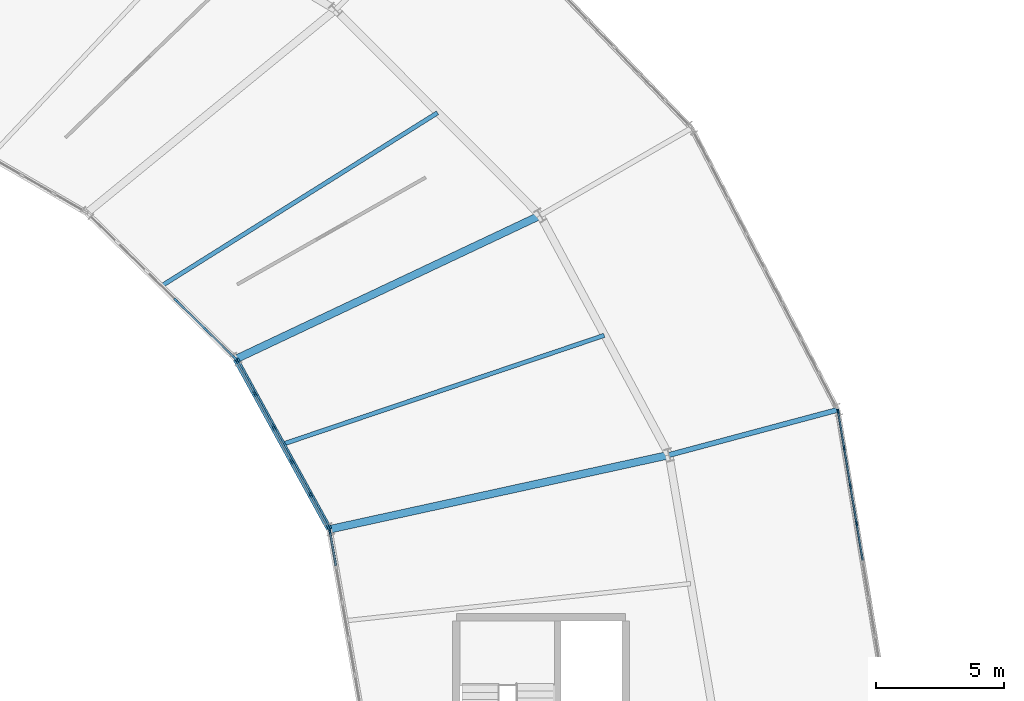
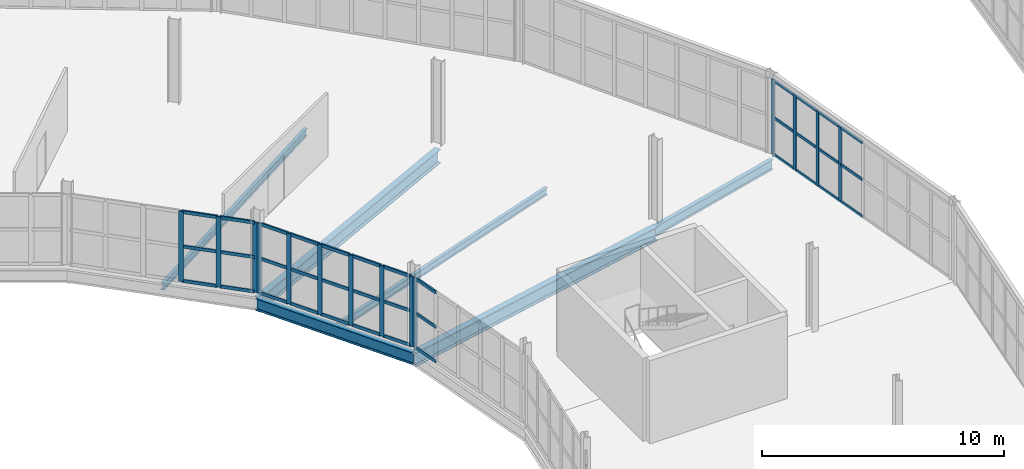
# One storey, part 84 of 161: 50 members, 6 beams, 4 elements without a shape of their own.
"""IFC4 building model written with IfcOpenShell, lengths in metres."""

from ifc_helpers import new_model, si_unit, direction, frame, origin, origin_2d, place, context, subcontext, project, spatial, rectangle, i_section, extrude, material, material_profile, profile_set, type_object, element, aggregate, save


model = new_model("IFC4")

# Units and contexts
model_context = context("Model", 3, precision=1e-05, world=origin(), true_north=direction((0.0, 1.0)))
body_context = subcontext(model_context, "Body", "Model", "MODEL_VIEW")
ifc_project = project(units=[si_unit("LENGTHUNIT", "METRE"), si_unit("AREAUNIT", "SQUARE_METRE"), si_unit("VOLUMEUNIT", "CUBIC_METRE"), si_unit("PLANEANGLEUNIT", "RADIAN"), si_unit("MASSUNIT", "GRAM", prefix="KILO")], contexts=[model_context])

# Site, building, storey
site_placement = place(None, origin())
site = spatial("IfcSite", under=ifc_project, at=site_placement, CompositionType="ELEMENT")
building_placement = place(site_placement, origin())
building = spatial("IfcBuilding", under=site, at=building_placement, Name="Kildeholm Park Wholesale Market", CompositionType="ELEMENT")
storey_placement = place(building_placement, frame((0.0, 0.0, 5.39990234375)))
storey = spatial("IfcBuildingStorey", under=building, at=storey_placement, Name="L01", CompositionType="ELEMENT", Elevation=5.39990234375)

# Beams
ifc_material_1 = material(Name="Steel S355", Category="steel")
ifc_material_profile_1 = material_profile(ifc_material_1, i_section(OverallWidth=0.300048828125, OverallDepth=0.699951171875, WebThickness=0.01708984375, FlangeThickness=0.031982421875, FilletRadius=0.027099609375, at=origin_2d()), Name="HEB 700")
ifc_profile_set_1 = profile_set([ifc_material_profile_1], Name="Steel S355")
beam_type_1 = type_object("IfcBeamType", Name="Beam B-G01 HEB 700", PredefinedType="BEAM", material=ifc_profile_set_1)
beam_1_placement = place(storey_placement, frame((134.256103515625, 96.617919921875, -0.599853515625), z_axis=(0.976846137752, 0.213943037181, 0.0), x_axis=(-0.213943037181, 0.976846137752, 0.0)))
element("IfcBeam", 1, at=beam_1_placement, inside=storey, type_object=beam_type_1, Name="Beam BM-V1-L01-R1-01 BM-0009", PredefinedType="BEAM", context=body_context, shape_type="SweptSolid", body=[
    extrude(i_section(OverallWidth=0.300048828125, OverallDepth=0.699951171875, WebThickness=0.01708984375, FlangeThickness=0.031982421875, FilletRadius=0.027099609375, at=origin_2d()), origin(), (0.0, 0.0, 1.0), 13.546630859375),
])
beam_2_placement = place(storey_placement, frame((130.610107421875, 103.25, -0.599853515625), z_axis=(0.904317894242, 0.426859632846, 0.0), x_axis=(-0.426859632846, 0.904317894242, 0.0)))
element("IfcBeam", 2, at=beam_2_placement, inside=storey, type_object=beam_type_1, Name="Beam BM-V1-L01-R1-02 BM-0018", PredefinedType="BEAM", context=body_context, shape_type="SweptSolid", body=[
    extrude(i_section(OverallWidth=0.300048828125, OverallDepth=0.699951171875, WebThickness=0.01708984375, FlangeThickness=0.031982421875, FilletRadius=0.027099609375, at=origin_2d()), origin(), (0.0, 0.0, 1.0), 13.119384765625),
])
ifc_material_profile_2 = material_profile(ifc_material_1, i_section(OverallWidth=0.199951171875, OverallDepth=0.5, WebThickness=0.01025390625, FlangeThickness=0.01611328125, FilletRadius=0.02099609375, at=origin_2d()), Name="IPE 500")
ifc_profile_set_2 = profile_set([ifc_material_profile_2], Name="Steel S355")
beam_type_2 = type_object("IfcBeamType", Name="Beam B-P03 IPE 500", PredefinedType="BEAM", material=ifc_profile_set_2)
beam_3_placement = place(storey_placement, frame((147.489013671875, 99.51611328125, -0.5), z_axis=(0.965941161837, 0.258761805275, 0.0), x_axis=(-0.258761805275, 0.965941161837, 0.0)))
element("IfcBeam", 3, at=beam_3_placement, inside=storey, type_object=beam_type_2, Name="Beam BM-V1-L01-R2-01 BM-0011", PredefinedType="BEAM", context=body_context, shape_type="SweptSolid", body=[
    extrude(i_section(OverallWidth=0.199951171875, OverallDepth=0.5, WebThickness=0.01025390625, FlangeThickness=0.01611328125, FilletRadius=0.02099609375, at=origin_2d()), origin(), (0.0, 0.0, 1.0), 6.80078125),
])
ifc_material_profile_3 = material_profile(ifc_material_1, i_section(OverallWidth=0.219970703125, OverallDepth=0.60009765625, WebThickness=0.011962890625, FlangeThickness=0.01904296875, FilletRadius=0.02392578125, at=origin_2d()), Name="IPE 600")
ifc_profile_set_3 = profile_set([ifc_material_profile_3], Name="Steel S355")
beam_type_3 = type_object("IfcBeamType", Name="Beam B-P04 IPE 600", PredefinedType="BEAM", material=ifc_profile_set_3)
beam_4_placement = place(storey_placement, frame((134.256103515625, 96.617919921875, -0.5498046875), z_axis=(-0.481751565348, 0.876307839338, 0.0), x_axis=(-0.876307839338, -0.481751565348, 0.0)))
element("IfcBeam", 4, at=beam_4_placement, inside=storey, type_object=beam_type_3, Name="Beam BM-V1-L01-CI-01 BM-0012", PredefinedType="BEAM", context=body_context, shape_type="SweptSolid", body=[
    extrude(i_section(OverallWidth=0.219970703125, OverallDepth=0.60009765625, WebThickness=0.011962890625, FlangeThickness=0.01904296875, FilletRadius=0.02392578125, at=origin_2d()), origin(), (0.0, 0.0, 1.0), 7.568115234375),
])
ifc_material_profile_4 = material_profile(ifc_material_1, i_section(OverallWidth=0.169921875, OverallDepth=0.360107421875, WebThickness=0.008056640625, FlangeThickness=0.0126953125, FilletRadius=0.01806640625, at=origin_2d()), Name="IPE 360")
ifc_profile_set_4 = profile_set([ifc_material_profile_4], Name="Steel S355")
beam_type_4 = type_object("IfcBeamType", Name="Beam J-04 IPE 360", PredefinedType="JOIST", material=ifc_profile_set_4)
beam_5_placement = place(storey_placement, frame((132.451904296875, 99.9404296875, -0.429931640625), z_axis=(0.947177362485, 0.320710218103, 0.0), x_axis=(-0.320710218103, 0.947177362485, 0.0)))
element("IfcBeam", 5, at=beam_5_placement, inside=storey, type_object=beam_type_4, Name="Beam JT-V1-L01-01 BM-0017", PredefinedType="JOIST", context=body_context, shape_type="SweptSolid", body=[
    extrude(i_section(OverallWidth=0.169921875, OverallDepth=0.360107421875, WebThickness=0.008056640625, FlangeThickness=0.0126953125, FilletRadius=0.01806640625, at=origin_2d()), origin(), (0.0, 0.0, 1.0), 13.20849609375),
])
beam_6_placement = place(storey_placement, frame((127.726318359375, 106.108154296875, -0.429931640625), z_axis=(0.847114536958, 0.531410351116, 0.0), x_axis=(-0.531410351116, 0.847114536958, 0.0)))
element("IfcBeam", 6, at=beam_6_placement, inside=storey, type_object=beam_type_4, Name="Beam JT-V1-L01-02 BM-0026", PredefinedType="JOIST", context=body_context, shape_type="SweptSolid", body=[
    extrude(i_section(OverallWidth=0.169921875, OverallDepth=0.360107421875, WebThickness=0.008056640625, FlangeThickness=0.0126953125, FilletRadius=0.01806640625, at=origin_2d()), origin(), (0.0, 0.0, 1.0), 12.680908203125),
])

# Curtain wall, members
ifc_material_2 = material(Name="Anodised aluminium and low-E double-glazed glass", Category="aluminium")
curtain_wall_type = type_object("IfcCurtainWallType", Name="Market hall glazed arcade stick curtain wall CW-01", PredefinedType="NOTDEFINED", material=ifc_material_2)
curtain_wall_1_placement = place(storey_placement, origin())
curtain_wall_1 = element("IfcCurtainWall", 7, at=curtain_wall_1_placement, inside=storey, type_object=curtain_wall_type, Name="Curtain wall CW-V1-OT-00-1 CW-0001", PredefinedType="NOTDEFINED")
ifc_material_3 = material(Name="Anodised aluminium", Category="aluminium")
ifc_material_profile_5 = material_profile(ifc_material_3, rectangle(XDim=0.06494140625, YDim=0.179931640625, at=origin_2d()), Name="CWM 65x180")
ifc_profile_set_5 = profile_set([ifc_material_profile_5], Name="Anodised aluminium")
member_type_1 = type_object("IfcMemberType", Name="Curtain-wall mullion CWM-1 CWM 65x180", PredefinedType="MULLION", material=ifc_profile_set_5)
member_1_placement = place(storey_placement, frame((154.79443359375, 96.851318359375, 0.0), z_axis=(0.0, 0.0, 1.0), x_axis=(-0.98667513756, -0.162702713317, 0.0)))
member_1 = element("IfcMember", 8, at=member_1_placement, type_object=member_type_1, Name="CW-01 mullion 6 MEM-0399", PredefinedType="MULLION", context=body_context, shape_type="SweptSolid", body=[
    extrude(rectangle(XDim=0.06494140625, YDim=0.179931640625, at=origin_2d()), origin(), (0.0, 0.0, 1.0), 3.800048828125),
])
member_2_placement = place(storey_placement, frame((154.55322265625, 98.3134765625, 0.0), z_axis=(0.0, 0.0, 1.0), x_axis=(-0.98667513756, -0.162702713317, 0.0)))
member_2 = element("IfcMember", 9, at=member_2_placement, type_object=member_type_1, Name="CW-01 mullion 7 MEM-0400", PredefinedType="MULLION", context=body_context, shape_type="SweptSolid", body=[
    extrude(rectangle(XDim=0.06494140625, YDim=0.179931640625, at=origin_2d()), origin(), (0.0, 0.0, 1.0), 3.800048828125),
])
member_3_placement = place(storey_placement, frame((154.31201171875, 99.775634765625, 0.0), z_axis=(0.0, 0.0, 1.0), x_axis=(-0.98667513756, -0.162702713317, 0.0)))
member_3 = element("IfcMember", 10, at=member_3_placement, type_object=member_type_1, Name="CW-01 mullion 8 MEM-0401", PredefinedType="MULLION", context=body_context, shape_type="SweptSolid", body=[
    extrude(rectangle(XDim=0.06494140625, YDim=0.179931640625, at=origin_2d()), origin(), (0.0, 0.0, 1.0), 3.800048828125),
])
member_4_placement = place(storey_placement, frame((154.076171875, 101.2060546875, 0.0), z_axis=(0.0, 0.0, 1.0), x_axis=(-0.98667513756, -0.162702713317, 0.0)))
member_4 = element("IfcMember", 11, at=member_4_placement, type_object=member_type_1, Name="CW-01 mullion 9 MEM-0402", PredefinedType="MULLION", context=body_context, shape_type="SweptSolid", body=[
    extrude(rectangle(XDim=0.06494140625, YDim=0.179931640625, at=origin_2d()), origin(), (0.0, 0.0, 1.0), 3.800048828125),
])

# Curtain wall, member
curtain_wall_2_placement = place(storey_placement, origin())
curtain_wall_2 = element("IfcCurtainWall", 12, at=curtain_wall_2_placement, inside=storey, type_object=curtain_wall_type, Name="Curtain wall CW-V1-IN1-00 CW-0004", PredefinedType="NOTDEFINED")
ifc_material_profile_6 = material_profile(ifc_material_3, rectangle(XDim=0.074951171875, YDim=0.219970703125, at=origin_2d()), Name="CWM 75x220")
ifc_profile_set_6 = profile_set([ifc_material_profile_6], Name="Anodised aluminium")
member_type_2 = type_object("IfcMemberType", Name="Curtain-wall mullion CWM-2 CWM 75x220", PredefinedType="MULLION", material=ifc_profile_set_6)
member_5_placement = place(storey_placement, frame((134.2763671875, 96.5419921875, 0.0), z_axis=(0.0, 0.0, 1.0), x_axis=(-0.985073802851, -0.172132515628, 0.0)))
member_5 = element("IfcMember", 13, at=member_5_placement, type_object=member_type_2, Name="CW-01 mullion 6 MEM-0482", PredefinedType="MULLION", context=body_context, shape_type="SweptSolid", body=[
    extrude(rectangle(XDim=0.074951171875, YDim=0.219970703125, at=origin_2d()), origin(), (0.0, 0.0, 1.0), 3.550048828125),
])

# Curtain wall, members
curtain_wall_3_placement = place(storey_placement, origin())
curtain_wall_3 = element("IfcCurtainWall", 14, at=curtain_wall_3_placement, inside=storey, type_object=curtain_wall_type, Name="Curtain wall CW-V1-IN1-01 CW-0009", PredefinedType="NOTDEFINED")
member_6_placement = place(storey_placement, frame((134.224853515625, 96.686767578125, 0.0), z_axis=(0.0, 0.0, 1.0), x_axis=(-0.876308922506, -0.481749595055, 0.0)))
member_6 = element("IfcMember", 15, at=member_6_placement, type_object=member_type_2, Name="CW-01 mullion 1 MEM-0602", PredefinedType="MULLION", context=body_context, shape_type="SweptSolid", body=[
    extrude(rectangle(XDim=0.074951171875, YDim=0.219970703125, at=origin_2d()), origin(), (0.0, 0.0, 1.0), 3.550048828125),
])
member_7_placement = place(storey_placement, frame((133.521484375, 97.966552734375, 0.0), z_axis=(0.0, 0.0, 1.0), x_axis=(-0.876308922506, -0.481749595055, 0.0)))
member_7 = element("IfcMember", 16, at=member_7_placement, type_object=member_type_2, Name="CW-01 mullion 2 MEM-0603", PredefinedType="MULLION", context=body_context, shape_type="SweptSolid", body=[
    extrude(rectangle(XDim=0.074951171875, YDim=0.219970703125, at=origin_2d()), origin(), (0.0, 0.0, 1.0), 3.550048828125),
])
member_8_placement = place(storey_placement, frame((132.7998046875, 99.279296875, 0.0), z_axis=(0.0, 0.0, 1.0), x_axis=(-0.876308922506, -0.481749595055, 0.0)))
member_8 = element("IfcMember", 17, at=member_8_placement, type_object=member_type_2, Name="CW-01 mullion 3 MEM-0604", PredefinedType="MULLION", context=body_context, shape_type="SweptSolid", body=[
    extrude(rectangle(XDim=0.074951171875, YDim=0.219970703125, at=origin_2d()), origin(), (0.0, 0.0, 1.0), 3.550048828125),
])
member_9_placement = place(storey_placement, frame((132.078125, 100.591796875, 0.0), z_axis=(0.0, 0.0, 1.0), x_axis=(-0.876308922506, -0.481749595055, 0.0)))
member_9 = element("IfcMember", 18, at=member_9_placement, type_object=member_type_2, Name="CW-01 mullion 4 MEM-0605", PredefinedType="MULLION", context=body_context, shape_type="SweptSolid", body=[
    extrude(rectangle(XDim=0.074951171875, YDim=0.219970703125, at=origin_2d()), origin(), (0.0, 0.0, 1.0), 3.550048828125),
])
member_10_placement = place(storey_placement, frame((131.356689453125, 101.904296875, 0.0), z_axis=(0.0, 0.0, 1.0), x_axis=(-0.876308922506, -0.481749595055, 0.0)))
member_10 = element("IfcMember", 19, at=member_10_placement, type_object=member_type_2, Name="CW-01 mullion 5 MEM-0606", PredefinedType="MULLION", context=body_context, shape_type="SweptSolid", body=[
    extrude(rectangle(XDim=0.074951171875, YDim=0.219970703125, at=origin_2d()), origin(), (0.0, 0.0, 1.0), 3.550048828125),
])
member_11_placement = place(storey_placement, frame((130.653076171875, 103.18408203125, 0.0), z_axis=(0.0, 0.0, 1.0), x_axis=(-0.876308922506, -0.481749595055, 0.0)))
member_11 = element("IfcMember", 20, at=member_11_placement, type_object=member_type_2, Name="CW-01 mullion 6 MEM-0607", PredefinedType="MULLION", context=body_context, shape_type="SweptSolid", body=[
    extrude(rectangle(XDim=0.074951171875, YDim=0.219970703125, at=origin_2d()), origin(), (0.0, 0.0, 1.0), 3.550048828125),
])

curtain_wall_4_placement = place(storey_placement, origin())
curtain_wall_4 = element("IfcCurtainWall", 21, at=curtain_wall_4_placement, inside=storey, type_object=curtain_wall_type, Name="Curtain wall CW-V1-IN1-02 CW-0014", PredefinedType="NOTDEFINED")
member_12_placement = place(storey_placement, frame((130.559326171875, 103.307373046875, 0.0), z_axis=(0.0, 0.0, 1.0), x_axis=(-0.700616534607, -0.713537995789, 0.0)))
member_12 = element("IfcMember", 22, at=member_12_placement, type_object=member_type_2, Name="CW-01 mullion 1 MEM-0731", PredefinedType="MULLION", context=body_context, shape_type="SweptSolid", body=[
    extrude(rectangle(XDim=0.074951171875, YDim=0.219970703125, at=origin_2d()), origin(), (0.0, 0.0, 1.0), 3.550048828125),
])
member_13_placement = place(storey_placement, frame((129.4375, 104.40869140625, 0.0), z_axis=(0.0, 0.0, 1.0), x_axis=(-0.700616534607, -0.713537995789, 0.0)))
member_13 = element("IfcMember", 23, at=member_13_placement, type_object=member_type_2, Name="CW-01 mullion 2 MEM-0732", PredefinedType="MULLION", context=body_context, shape_type="SweptSolid", body=[
    extrude(rectangle(XDim=0.074951171875, YDim=0.219970703125, at=origin_2d()), origin(), (0.0, 0.0, 1.0), 3.550048828125),
])
member_14_placement = place(storey_placement, frame((128.288818359375, 105.53662109375, 0.0), z_axis=(0.0, 0.0, 1.0), x_axis=(-0.700616534607, -0.713537995789, 0.0)))
member_14 = element("IfcMember", 24, at=member_14_placement, type_object=member_type_2, Name="CW-01 mullion 3 MEM-0733", PredefinedType="MULLION", context=body_context, shape_type="SweptSolid", body=[
    extrude(rectangle(XDim=0.074951171875, YDim=0.219970703125, at=origin_2d()), origin(), (0.0, 0.0, 1.0), 3.550048828125),
])

# Member
ifc_material_profile_7 = material_profile(ifc_material_3, rectangle(XDim=0.06494140625, YDim=0.139892578125, at=origin_2d()), Name="CWT 65x140")
ifc_profile_set_7 = profile_set([ifc_material_profile_7], Name="Anodised aluminium")
member_type_3 = type_object("IfcMemberType", Name="Curtain-wall transom CWT-1 CWT 65x140", PredefinedType="USERDEFINED", material=ifc_profile_set_7)
member_15_placement = place(storey_placement, frame((155.0302734375, 95.421142578125, 0.03271484375), z_axis=(-0.162834009189, 0.9866534779, 0.0), x_axis=(-0.9866534779, -0.162834009189, 0.0)))
member_15 = element("IfcMember", 25, at=member_15_placement, type_object=member_type_3, Name="CW-01 transom 5.1 MEM-0415", ObjectType="TRANSOM", PredefinedType="USERDEFINED", context=body_context, shape_type="SweptSolid", body=[
    extrude(rectangle(XDim=0.06494140625, YDim=0.139892578125, at=origin_2d()), origin(), (0.0, 0.0, 1.0), 1.416748046875),
])

member_16_placement = place(storey_placement, frame((155.0302734375, 95.421142578125, 1.900146484375), z_axis=(-0.162834009189, 0.9866534779, 0.0), x_axis=(-0.9866534779, -0.162834009189, 0.0)))
member_16 = element("IfcMember", 26, at=member_16_placement, type_object=member_type_3, Name="CW-01 transom 5.2 MEM-0416", ObjectType="TRANSOM", PredefinedType="USERDEFINED", context=body_context, shape_type="SweptSolid", body=[
    extrude(rectangle(XDim=0.06494140625, YDim=0.139892578125, at=origin_2d()), origin(), (0.0, 0.0, 1.0), 1.416748046875),
])

member_17_placement = place(storey_placement, frame((155.0302734375, 95.421142578125, 3.767578125), z_axis=(-0.162834009189, 0.9866534779, 0.0), x_axis=(-0.9866534779, -0.162834009189, 0.0)))
member_17 = element("IfcMember", 27, at=member_17_placement, type_object=member_type_3, Name="CW-01 transom 5.3 MEM-0417", ObjectType="TRANSOM", PredefinedType="USERDEFINED", context=body_context, shape_type="SweptSolid", body=[
    extrude(rectangle(XDim=0.06494140625, YDim=0.139892578125, at=origin_2d()), origin(), (0.0, 0.0, 1.0), 1.416748046875),
])

member_18_placement = place(storey_placement, frame((154.7890625, 96.88330078125, 0.03271484375), z_axis=(-0.162638607798, 0.98668570642, 0.0), x_axis=(-0.98668570642, -0.162638607798, 0.0)))
member_18 = element("IfcMember", 28, at=member_18_placement, type_object=member_type_3, Name="CW-01 transom 6.1 MEM-0418", ObjectType="TRANSOM", PredefinedType="USERDEFINED", context=body_context, shape_type="SweptSolid", body=[
    extrude(rectangle(XDim=0.06494140625, YDim=0.139892578125, at=origin_2d()), origin(), (0.0, 0.0, 1.0), 1.4169921875),
])

member_19_placement = place(storey_placement, frame((154.7890625, 96.88330078125, 1.900146484375), z_axis=(-0.162638607798, 0.98668570642, 0.0), x_axis=(-0.98668570642, -0.162638607798, 0.0)))
member_19 = element("IfcMember", 29, at=member_19_placement, type_object=member_type_3, Name="CW-01 transom 6.2 MEM-0419", ObjectType="TRANSOM", PredefinedType="USERDEFINED", context=body_context, shape_type="SweptSolid", body=[
    extrude(rectangle(XDim=0.06494140625, YDim=0.139892578125, at=origin_2d()), origin(), (0.0, 0.0, 1.0), 1.4169921875),
])

member_20_placement = place(storey_placement, frame((154.7890625, 96.88330078125, 3.767578125), z_axis=(-0.162638607798, 0.98668570642, 0.0), x_axis=(-0.98668570642, -0.162638607798, 0.0)))
member_20 = element("IfcMember", 30, at=member_20_placement, type_object=member_type_3, Name="CW-01 transom 6.3 MEM-0420", ObjectType="TRANSOM", PredefinedType="USERDEFINED", context=body_context, shape_type="SweptSolid", body=[
    extrude(rectangle(XDim=0.06494140625, YDim=0.139892578125, at=origin_2d()), origin(), (0.0, 0.0, 1.0), 1.4169921875),
])

member_21_placement = place(storey_placement, frame((154.5478515625, 98.345458984375, 0.03271484375), z_axis=(-0.162638607798, 0.98668570642, 0.0), x_axis=(-0.98668570642, -0.162638607798, 0.0)))
member_21 = element("IfcMember", 31, at=member_21_placement, type_object=member_type_3, Name="CW-01 transom 7.1 MEM-0421", ObjectType="TRANSOM", PredefinedType="USERDEFINED", context=body_context, shape_type="SweptSolid", body=[
    extrude(rectangle(XDim=0.06494140625, YDim=0.139892578125, at=origin_2d()), origin(), (0.0, 0.0, 1.0), 1.4169921875),
])

member_22_placement = place(storey_placement, frame((154.5478515625, 98.345458984375, 1.900146484375), z_axis=(-0.162638607798, 0.98668570642, 0.0), x_axis=(-0.98668570642, -0.162638607798, 0.0)))
member_22 = element("IfcMember", 32, at=member_22_placement, type_object=member_type_3, Name="CW-01 transom 7.2 MEM-0422", ObjectType="TRANSOM", PredefinedType="USERDEFINED", context=body_context, shape_type="SweptSolid", body=[
    extrude(rectangle(XDim=0.06494140625, YDim=0.139892578125, at=origin_2d()), origin(), (0.0, 0.0, 1.0), 1.4169921875),
])

member_23_placement = place(storey_placement, frame((154.5478515625, 98.345458984375, 3.767578125), z_axis=(-0.162638607798, 0.98668570642, 0.0), x_axis=(-0.98668570642, -0.162638607798, 0.0)))
member_23 = element("IfcMember", 33, at=member_23_placement, type_object=member_type_3, Name="CW-01 transom 7.3 MEM-0423", ObjectType="TRANSOM", PredefinedType="USERDEFINED", context=body_context, shape_type="SweptSolid", body=[
    extrude(rectangle(XDim=0.06494140625, YDim=0.139892578125, at=origin_2d()), origin(), (0.0, 0.0, 1.0), 1.4169921875),
])

member_24_placement = place(storey_placement, frame((154.306884765625, 99.807861328125, 0.03271484375), z_axis=(-0.162768740023, 0.986664247488, 0.0), x_axis=(-0.986664247488, -0.162768740023, 0.0)))
member_24 = element("IfcMember", 34, at=member_24_placement, type_object=member_type_3, Name="CW-01 transom 8.1 MEM-0424", ObjectType="TRANSOM", PredefinedType="USERDEFINED", context=body_context, shape_type="SweptSolid", body=[
    extrude(rectangle(XDim=0.06494140625, YDim=0.139892578125, at=origin_2d()), origin(), (0.0, 0.0, 1.0), 1.384521484375),
])

member_25_placement = place(storey_placement, frame((154.306884765625, 99.807861328125, 1.900146484375), z_axis=(-0.162768740023, 0.986664247488, 0.0), x_axis=(-0.986664247488, -0.162768740023, 0.0)))
member_25 = element("IfcMember", 35, at=member_25_placement, type_object=member_type_3, Name="CW-01 transom 8.2 MEM-0425", ObjectType="TRANSOM", PredefinedType="USERDEFINED", context=body_context, shape_type="SweptSolid", body=[
    extrude(rectangle(XDim=0.06494140625, YDim=0.139892578125, at=origin_2d()), origin(), (0.0, 0.0, 1.0), 1.384521484375),
])

member_26_placement = place(storey_placement, frame((154.306884765625, 99.807861328125, 3.767578125), z_axis=(-0.162768740023, 0.986664247488, 0.0), x_axis=(-0.986664247488, -0.162768740023, 0.0)))
member_26 = element("IfcMember", 36, at=member_26_placement, type_object=member_type_3, Name="CW-01 transom 8.3 MEM-0426", ObjectType="TRANSOM", PredefinedType="USERDEFINED", context=body_context, shape_type="SweptSolid", body=[
    extrude(rectangle(XDim=0.06494140625, YDim=0.139892578125, at=origin_2d()), origin(), (0.0, 0.0, 1.0), 1.384521484375),
])

aggregate(curtain_wall_1, [member_1, member_2, member_3, member_4, member_15, member_16, member_17, member_18, member_19, member_20, member_21, member_22, member_23, member_24, member_25, member_26])

ifc_material_profile_8 = material_profile(ifc_material_3, rectangle(XDim=0.074951171875, YDim=0.159912109375, at=origin_2d()), Name="CWT 75x160")
ifc_profile_set_8 = profile_set([ifc_material_profile_8], Name="Anodised aluminium")
member_type_4 = type_object("IfcMemberType", Name="Curtain-wall transom CWT-2 CWT 75x160", PredefinedType="USERDEFINED", material=ifc_profile_set_8)
member_27_placement = place(storey_placement, frame((134.509521484375, 95.208251953125, 0.03759765625), z_axis=(-0.172092430067, 0.985080806591, 0.0), x_axis=(-0.985080806591, -0.172092430067, 0.0)))
member_27 = element("IfcMember", 37, at=member_27_placement, type_object=member_type_4, Name="CW-01 transom 5.1 MEM-0495", ObjectType="TRANSOM", PredefinedType="USERDEFINED", context=body_context, shape_type="SweptSolid", body=[
    extrude(rectangle(XDim=0.074951171875, YDim=0.159912109375, at=origin_2d()), origin(), (0.0, 0.0, 1.0), 1.31640625),
])

member_28_placement = place(storey_placement, frame((134.509521484375, 95.208251953125, 1.775146484375), z_axis=(-0.172092430067, 0.985080806591, 0.0), x_axis=(-0.985080806591, -0.172092430067, 0.0)))
member_28 = element("IfcMember", 38, at=member_28_placement, type_object=member_type_4, Name="CW-01 transom 5.2 MEM-0496", ObjectType="TRANSOM", PredefinedType="USERDEFINED", context=body_context, shape_type="SweptSolid", body=[
    extrude(rectangle(XDim=0.074951171875, YDim=0.159912109375, at=origin_2d()), origin(), (0.0, 0.0, 1.0), 1.31640625),
])

member_29_placement = place(storey_placement, frame((134.509521484375, 95.208251953125, 3.5126953125), z_axis=(-0.172092430067, 0.985080806591, 0.0), x_axis=(-0.985080806591, -0.172092430067, 0.0)))
member_29 = element("IfcMember", 39, at=member_29_placement, type_object=member_type_4, Name="CW-01 transom 5.3 MEM-0497", ObjectType="TRANSOM", PredefinedType="USERDEFINED", context=body_context, shape_type="SweptSolid", body=[
    extrude(rectangle(XDim=0.074951171875, YDim=0.159912109375, at=origin_2d()), origin(), (0.0, 0.0, 1.0), 1.31640625),
])

aggregate(curtain_wall_2, [member_5, member_27, member_28, member_29])

member_30_placement = place(storey_placement, frame((134.206787109375, 96.7197265625, 0.03759765625), z_axis=(-0.481627830616, 0.876375851319, 0.0), x_axis=(-0.876375851319, -0.481627830616, 0.0)))
member_30 = element("IfcMember", 40, at=member_30_placement, type_object=member_type_4, Name="CW-01 transom 1.1 MEM-0608", ObjectType="TRANSOM", PredefinedType="USERDEFINED", context=body_context, shape_type="SweptSolid", body=[
    extrude(rectangle(XDim=0.074951171875, YDim=0.159912109375, at=origin_2d()), origin(), (0.0, 0.0, 1.0), 1.385498046875),
])

member_31_placement = place(storey_placement, frame((134.206787109375, 96.7197265625, 1.775146484375), z_axis=(-0.481627830616, 0.876375851319, 0.0), x_axis=(-0.876375851319, -0.481627830616, 0.0)))
member_31 = element("IfcMember", 41, at=member_31_placement, type_object=member_type_4, Name="CW-01 transom 1.2 MEM-0609", ObjectType="TRANSOM", PredefinedType="USERDEFINED", context=body_context, shape_type="SweptSolid", body=[
    extrude(rectangle(XDim=0.074951171875, YDim=0.159912109375, at=origin_2d()), origin(), (0.0, 0.0, 1.0), 1.385498046875),
])

member_32_placement = place(storey_placement, frame((134.206787109375, 96.7197265625, 3.5126953125), z_axis=(-0.481627830616, 0.876375851319, 0.0), x_axis=(-0.876375851319, -0.481627830616, 0.0)))
member_32 = element("IfcMember", 42, at=member_32_placement, type_object=member_type_4, Name="CW-01 transom 1.3 MEM-0610", ObjectType="TRANSOM", PredefinedType="USERDEFINED", context=body_context, shape_type="SweptSolid", body=[
    extrude(rectangle(XDim=0.074951171875, YDim=0.159912109375, at=origin_2d()), origin(), (0.0, 0.0, 1.0), 1.385498046875),
])

member_33_placement = place(storey_placement, frame((133.50341796875, 97.99951171875, 0.03759765625), z_axis=(-0.481806771889, 0.876277487193, 0.0), x_axis=(-0.876277487193, -0.481806771889, 0.0)))
member_33 = element("IfcMember", 43, at=member_33_placement, type_object=member_type_4, Name="CW-01 transom 2.1 MEM-0611", ObjectType="TRANSOM", PredefinedType="USERDEFINED", context=body_context, shape_type="SweptSolid", body=[
    extrude(rectangle(XDim=0.074951171875, YDim=0.159912109375, at=origin_2d()), origin(), (0.0, 0.0, 1.0), 1.4228515625),
])

member_34_placement = place(storey_placement, frame((133.50341796875, 97.99951171875, 1.775146484375), z_axis=(-0.481806771889, 0.876277487193, 0.0), x_axis=(-0.876277487193, -0.481806771889, 0.0)))
member_34 = element("IfcMember", 44, at=member_34_placement, type_object=member_type_4, Name="CW-01 transom 2.2 MEM-0612", ObjectType="TRANSOM", PredefinedType="USERDEFINED", context=body_context, shape_type="SweptSolid", body=[
    extrude(rectangle(XDim=0.074951171875, YDim=0.159912109375, at=origin_2d()), origin(), (0.0, 0.0, 1.0), 1.4228515625),
])

member_35_placement = place(storey_placement, frame((133.50341796875, 97.99951171875, 3.5126953125), z_axis=(-0.481806771889, 0.876277487193, 0.0), x_axis=(-0.876277487193, -0.481806771889, 0.0)))
member_35 = element("IfcMember", 45, at=member_35_placement, type_object=member_type_4, Name="CW-01 transom 2.3 MEM-0613", ObjectType="TRANSOM", PredefinedType="USERDEFINED", context=body_context, shape_type="SweptSolid", body=[
    extrude(rectangle(XDim=0.074951171875, YDim=0.159912109375, at=origin_2d()), origin(), (0.0, 0.0, 1.0), 1.4228515625),
])

member_36_placement = place(storey_placement, frame((132.78173828125, 99.31201171875, 0.03759765625), z_axis=(-0.481806771889, 0.876277487193, 0.0), x_axis=(-0.876277487193, -0.481806771889, 0.0)))
member_36 = element("IfcMember", 46, at=member_36_placement, type_object=member_type_4, Name="CW-01 transom 3.1 MEM-0614", ObjectType="TRANSOM", PredefinedType="USERDEFINED", context=body_context, shape_type="SweptSolid", body=[
    extrude(rectangle(XDim=0.074951171875, YDim=0.159912109375, at=origin_2d()), origin(), (0.0, 0.0, 1.0), 1.4228515625),
])

member_37_placement = place(storey_placement, frame((132.78173828125, 99.31201171875, 1.775146484375), z_axis=(-0.481806771889, 0.876277487193, 0.0), x_axis=(-0.876277487193, -0.481806771889, 0.0)))
member_37 = element("IfcMember", 47, at=member_37_placement, type_object=member_type_4, Name="CW-01 transom 3.2 MEM-0615", ObjectType="TRANSOM", PredefinedType="USERDEFINED", context=body_context, shape_type="SweptSolid", body=[
    extrude(rectangle(XDim=0.074951171875, YDim=0.159912109375, at=origin_2d()), origin(), (0.0, 0.0, 1.0), 1.4228515625),
])

member_38_placement = place(storey_placement, frame((132.78173828125, 99.31201171875, 3.5126953125), z_axis=(-0.481806771889, 0.876277487193, 0.0), x_axis=(-0.876277487193, -0.481806771889, 0.0)))
member_38 = element("IfcMember", 48, at=member_38_placement, type_object=member_type_4, Name="CW-01 transom 3.3 MEM-0616", ObjectType="TRANSOM", PredefinedType="USERDEFINED", context=body_context, shape_type="SweptSolid", body=[
    extrude(rectangle(XDim=0.074951171875, YDim=0.159912109375, at=origin_2d()), origin(), (0.0, 0.0, 1.0), 1.4228515625),
])

member_39_placement = place(storey_placement, frame((132.06005859375, 100.624755859375, 0.03759765625), z_axis=(-0.481675002978, 0.876349925262, 0.0), x_axis=(-0.876349925262, -0.481675002978, 0.0)))
member_39 = element("IfcMember", 49, at=member_39_placement, type_object=member_type_4, Name="CW-01 transom 4.1 MEM-0617", ObjectType="TRANSOM", PredefinedType="USERDEFINED", context=body_context, shape_type="SweptSolid", body=[
    extrude(rectangle(XDim=0.074951171875, YDim=0.159912109375, at=origin_2d()), origin(), (0.0, 0.0, 1.0), 1.4228515625),
])

member_40_placement = place(storey_placement, frame((132.06005859375, 100.624755859375, 1.775146484375), z_axis=(-0.481675002978, 0.876349925262, 0.0), x_axis=(-0.876349925262, -0.481675002978, 0.0)))
member_40 = element("IfcMember", 50, at=member_40_placement, type_object=member_type_4, Name="CW-01 transom 4.2 MEM-0618", ObjectType="TRANSOM", PredefinedType="USERDEFINED", context=body_context, shape_type="SweptSolid", body=[
    extrude(rectangle(XDim=0.074951171875, YDim=0.159912109375, at=origin_2d()), origin(), (0.0, 0.0, 1.0), 1.4228515625),
])

member_41_placement = place(storey_placement, frame((132.06005859375, 100.624755859375, 3.5126953125), z_axis=(-0.481675002978, 0.876349925262, 0.0), x_axis=(-0.876349925262, -0.481675002978, 0.0)))
member_41 = element("IfcMember", 51, at=member_41_placement, type_object=member_type_4, Name="CW-01 transom 4.3 MEM-0619", ObjectType="TRANSOM", PredefinedType="USERDEFINED", context=body_context, shape_type="SweptSolid", body=[
    extrude(rectangle(XDim=0.074951171875, YDim=0.159912109375, at=origin_2d()), origin(), (0.0, 0.0, 1.0), 1.4228515625),
])

member_42_placement = place(storey_placement, frame((131.338623046875, 101.937255859375, 0.03759765625), z_axis=(-0.481763161667, 0.876301464144, 0.0), x_axis=(-0.876301464144, -0.481763161667, 0.0)))
member_42 = element("IfcMember", 52, at=member_42_placement, type_object=member_type_4, Name="CW-01 transom 5.1 MEM-0620", ObjectType="TRANSOM", PredefinedType="USERDEFINED", context=body_context, shape_type="SweptSolid", body=[
    extrude(rectangle(XDim=0.074951171875, YDim=0.159912109375, at=origin_2d()), origin(), (0.0, 0.0, 1.0), 1.385498046875),
])

member_43_placement = place(storey_placement, frame((131.338623046875, 101.937255859375, 1.775146484375), z_axis=(-0.481763161667, 0.876301464144, 0.0), x_axis=(-0.876301464144, -0.481763161667, 0.0)))
member_43 = element("IfcMember", 53, at=member_43_placement, type_object=member_type_4, Name="CW-01 transom 5.2 MEM-0621", ObjectType="TRANSOM", PredefinedType="USERDEFINED", context=body_context, shape_type="SweptSolid", body=[
    extrude(rectangle(XDim=0.074951171875, YDim=0.159912109375, at=origin_2d()), origin(), (0.0, 0.0, 1.0), 1.385498046875),
])

member_44_placement = place(storey_placement, frame((131.338623046875, 101.937255859375, 3.5126953125), z_axis=(-0.481763161667, 0.876301464144, 0.0), x_axis=(-0.876301464144, -0.481763161667, 0.0)))
member_44 = element("IfcMember", 54, at=member_44_placement, type_object=member_type_4, Name="CW-01 transom 5.3 MEM-0622", ObjectType="TRANSOM", PredefinedType="USERDEFINED", context=body_context, shape_type="SweptSolid", body=[
    extrude(rectangle(XDim=0.074951171875, YDim=0.159912109375, at=origin_2d()), origin(), (0.0, 0.0, 1.0), 1.385498046875),
])

aggregate(curtain_wall_3, [member_6, member_7, member_8, member_9, member_10, member_11, member_30, member_31, member_32, member_33, member_34, member_35, member_36, member_37, member_38, member_39, member_40, member_41, member_42, member_43, member_44])

member_45_placement = place(storey_placement, frame((130.532470703125, 103.33349609375, 0.03759765625), z_axis=(-0.713518025391, 0.700636872739, 0.0), x_axis=(-0.700636872739, -0.713518025391, 0.0)))
member_45 = element("IfcMember", 55, at=member_45_placement, type_object=member_type_4, Name="CW-01 transom 1.1 MEM-0737", ObjectType="TRANSOM", PredefinedType="USERDEFINED", context=body_context, shape_type="SweptSolid", body=[
    extrude(rectangle(XDim=0.074951171875, YDim=0.159912109375, at=origin_2d()), origin(), (0.0, 0.0, 1.0), 1.497314453125),
])

member_46_placement = place(storey_placement, frame((130.532470703125, 103.33349609375, 1.775146484375), z_axis=(-0.713518025391, 0.700636872739, 0.0), x_axis=(-0.700636872739, -0.713518025391, 0.0)))
member_46 = element("IfcMember", 56, at=member_46_placement, type_object=member_type_4, Name="CW-01 transom 1.2 MEM-0738", ObjectType="TRANSOM", PredefinedType="USERDEFINED", context=body_context, shape_type="SweptSolid", body=[
    extrude(rectangle(XDim=0.074951171875, YDim=0.159912109375, at=origin_2d()), origin(), (0.0, 0.0, 1.0), 1.497314453125),
])

member_47_placement = place(storey_placement, frame((130.532470703125, 103.33349609375, 3.5126953125), z_axis=(-0.713518025391, 0.700636872739, 0.0), x_axis=(-0.700636872739, -0.713518025391, 0.0)))
member_47 = element("IfcMember", 57, at=member_47_placement, type_object=member_type_4, Name="CW-01 transom 1.3 MEM-0739", ObjectType="TRANSOM", PredefinedType="USERDEFINED", context=body_context, shape_type="SweptSolid", body=[
    extrude(rectangle(XDim=0.074951171875, YDim=0.159912109375, at=origin_2d()), origin(), (0.0, 0.0, 1.0), 1.497314453125),
])

member_48_placement = place(storey_placement, frame((129.41064453125, 104.43505859375, 0.03759765625), z_axis=(-0.713520588004, 0.700634263003, 0.0), x_axis=(-0.700634263003, -0.713520588004, 0.0)))
member_48 = element("IfcMember", 58, at=member_48_placement, type_object=member_type_4, Name="CW-01 transom 2.1 MEM-0740", ObjectType="TRANSOM", PredefinedType="USERDEFINED", context=body_context, shape_type="SweptSolid", body=[
    extrude(rectangle(XDim=0.074951171875, YDim=0.159912109375, at=origin_2d()), origin(), (0.0, 0.0, 1.0), 1.53466796875),
])

member_49_placement = place(storey_placement, frame((129.41064453125, 104.43505859375, 1.775146484375), z_axis=(-0.713520588004, 0.700634263003, 0.0), x_axis=(-0.700634263003, -0.713520588004, 0.0)))
member_49 = element("IfcMember", 59, at=member_49_placement, type_object=member_type_4, Name="CW-01 transom 2.2 MEM-0741", ObjectType="TRANSOM", PredefinedType="USERDEFINED", context=body_context, shape_type="SweptSolid", body=[
    extrude(rectangle(XDim=0.074951171875, YDim=0.159912109375, at=origin_2d()), origin(), (0.0, 0.0, 1.0), 1.53466796875),
])

member_50_placement = place(storey_placement, frame((129.41064453125, 104.43505859375, 3.5126953125), z_axis=(-0.713520588004, 0.700634263003, 0.0), x_axis=(-0.700634263003, -0.713520588004, 0.0)))
member_50 = element("IfcMember", 60, at=member_50_placement, type_object=member_type_4, Name="CW-01 transom 2.3 MEM-0742", ObjectType="TRANSOM", PredefinedType="USERDEFINED", context=body_context, shape_type="SweptSolid", body=[
    extrude(rectangle(XDim=0.074951171875, YDim=0.159912109375, at=origin_2d()), origin(), (0.0, 0.0, 1.0), 1.53466796875),
])

aggregate(curtain_wall_4, [member_12, member_13, member_14, member_45, member_46, member_47, member_48, member_49, member_50])

save(model, "model.ifc")
